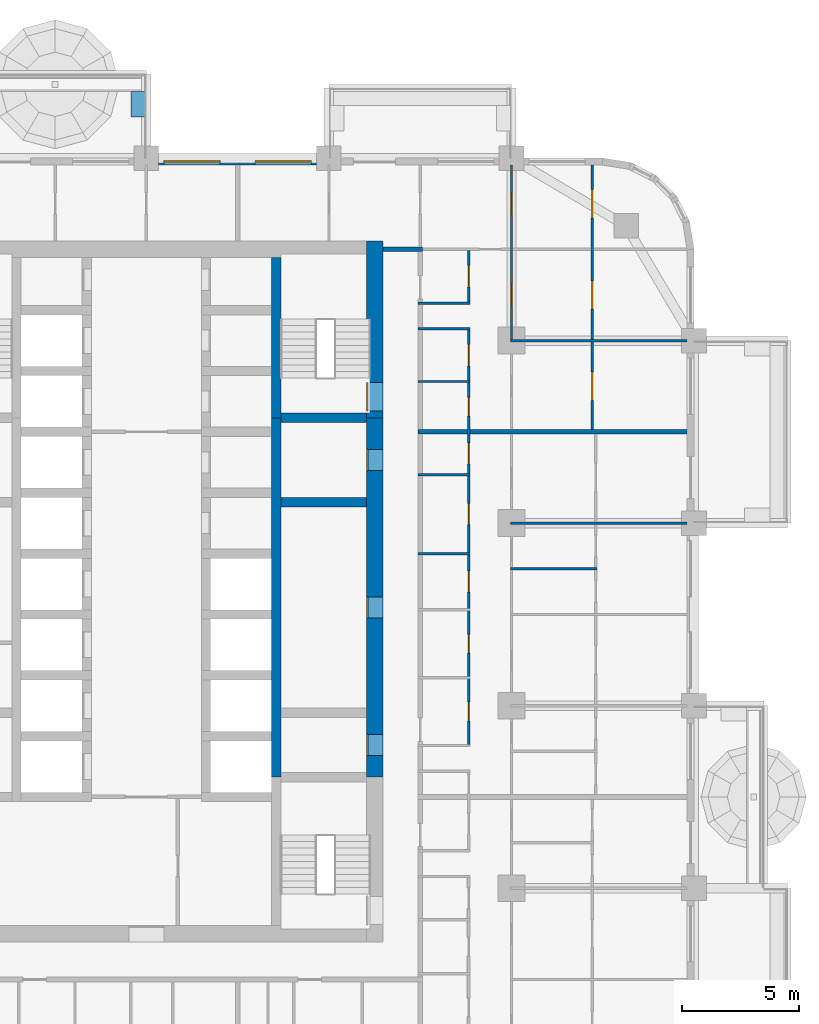
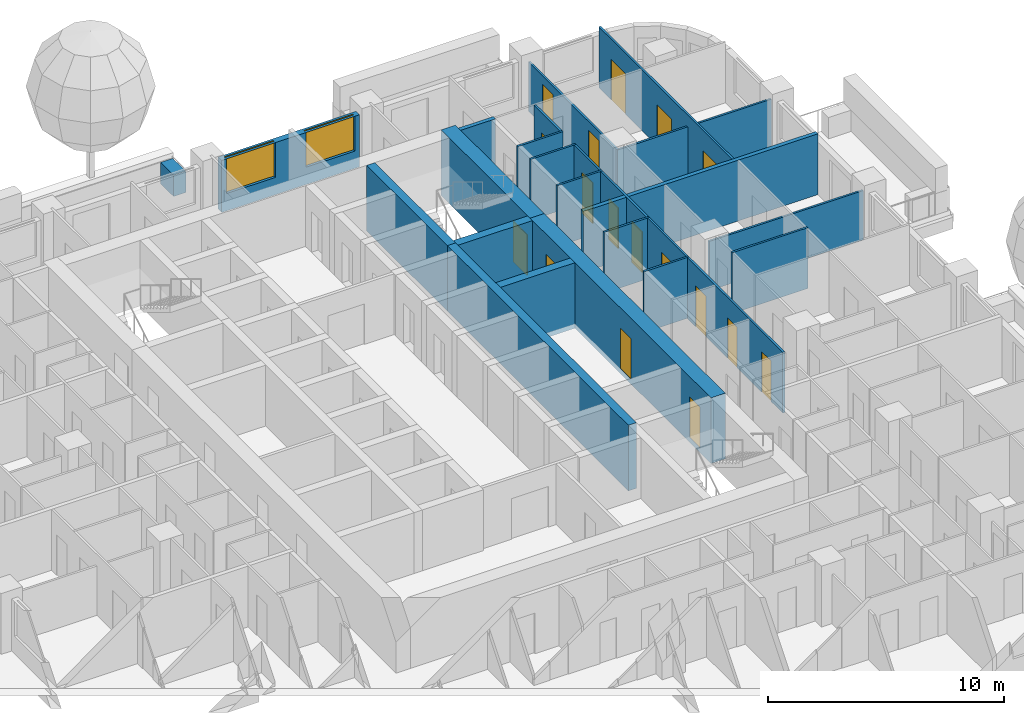
# One storey, part 12 of 18: 22 walls, 17 doors, 2 windows, 19 openings.
"""IFC4 building model written with IfcOpenShell, lengths in metres."""

import ifcopenshell
import ifcopenshell.guid

model = None  # the IFC model being written
_history = None  # IfcOwnerHistory: only IFC2X3 demands one
_inside = {}  # id of a spatial element -> (the spatial element, [elements in it])
_under = {}  # id of a project, library or spatial element -> (it, [spatial elements below it])
_declared = {}  # id of a project -> (the project, [libraries it declares])
_typed = {}  # id of a type object -> (the type object, [elements of that type])
_made_of = {}  # id of a material, layer set ... -> (it, [elements and type objects made of it])


def new_model(schema):
    """Start an empty IFC model of exactly this schema.

    Asked for "IFC4X3", IfcOpenShell would pick the latest addendum, in which some entities
    have other attributes; the version numbers below select the first issue.
    IFC2X3 requires an IfcOwnerHistory on every rooted entity: one is made here for all.
    """
    global model, _history
    if schema == "IFC4X3":
        model = ifcopenshell.file(schema_version=(4, 3, 0, 0))
    else:
        model = ifcopenshell.file(schema=schema)
    _inside.clear()
    _under.clear()
    _declared.clear()
    _typed.clear()
    _made_of.clear()
    _history = None
    if model.schema == "IFC2X3":
        org = make("IfcOrganization", Name="unknown")
        user = make(
            "IfcPersonAndOrganization",
            ThePerson=make("IfcPerson", FamilyName="unknown"),
            TheOrganization=org,
        )
        app = make(
            "IfcApplication",
            ApplicationDeveloper=org,
            Version="unknown",
            ApplicationFullName="unknown",
            ApplicationIdentifier="unknown",
        )
        _history = make(
            "IfcOwnerHistory",
            OwningUser=user,
            OwningApplication=app,
            ChangeAction="ADDED",
            CreationDate=0,
        )
    return model


def make(cls, **values):
    """One entity of the class cls with the attributes given. An attribute that is None is left unset."""
    return model.create_entity(
        cls, **{name: value for name, value in values.items() if value is not None}
    )


def rooted(cls, **values):
    """An entity with a GlobalId (a new one), such as an element, a storey or a relation."""
    return make(cls, GlobalId=ifcopenshell.guid.new(), OwnerHistory=_history, **values)


def si_unit(unit_type, name, prefix=None):
    """IfcSIUnit, for example si_unit("LENGTHUNIT", "METRE", prefix="MILLI")."""
    return make("IfcSIUnit", UnitType=unit_type, Prefix=prefix, Name=name)


def assignment(units):
    """IfcUnitAssignment: the units of a project."""
    return None if units is None else make("IfcUnitAssignment", Units=units)


def point(xyz):
    """IfcCartesianPoint."""
    return None if xyz is None else make("IfcCartesianPoint", Coordinates=xyz)


def direction(xyz):
    """IfcDirection."""
    return None if xyz is None else make("IfcDirection", DirectionRatios=xyz)


def frame(location, z_axis=None, x_axis=None):
    """IfcAxis2Placement3D, a coordinate frame: its origin and axes. An axis left out is left unset."""
    return make(
        "IfcAxis2Placement3D",
        Location=point(location),
        Axis=direction(z_axis),
        RefDirection=direction(x_axis),
    )


def frame_2d(location, x_axis=None):
    """IfcAxis2Placement2D, a coordinate frame in the plane: its origin and x axis."""
    return make(
        "IfcAxis2Placement2D", Location=point(location), RefDirection=direction(x_axis)
    )


def origin():
    """The frame at (0, 0, 0) with its axes left unset."""
    return frame((0.0, 0.0, 0.0))


def place(relative_to, where):
    """IfcLocalPlacement: puts the frame where relative to a parent placement (None: the world)."""
    return make(
        "IfcLocalPlacement", PlacementRelTo=relative_to, RelativePlacement=where
    )


def context(
    kind, dimensions, precision=None, world=None, true_north=None, identifier=None
):
    """IfcGeometricRepresentationContext, for example the 3D "Model" context."""
    return make(
        "IfcGeometricRepresentationContext",
        ContextIdentifier=identifier,
        ContextType=kind,
        CoordinateSpaceDimension=dimensions,
        Precision=precision,
        WorldCoordinateSystem=world,
        TrueNorth=true_north,
    )


def subcontext(parent, identifier, kind, view, scale=None):
    """IfcGeometricRepresentationSubContext, for example "Body" below "Model"."""
    return make(
        "IfcGeometricRepresentationSubContext",
        ContextIdentifier=identifier,
        ContextType=kind,
        ParentContext=parent,
        TargetScale=scale,
        TargetView=view,
    )


def project(units=None, contexts=None):
    """IfcProject with its units and contexts."""
    return rooted(
        "IfcProject",
        Name="project",
        RepresentationContexts=contexts,
        UnitsInContext=assignment(units),
    )


def spatial(cls, under=None, at=None, **own):
    """A site, building, storey or space (cls), placed at a placement, below another one or the project."""
    s = rooted(cls, ObjectPlacement=at, **own)
    if under is not None:
        _under.setdefault(under.id(), (under, []))[1].append(s)
    return s


def profile(cls, at=None, kind="AREA", **sizes):
    """A parametric profile (cls). Its sizes go by their IFC names, for example OverallWidth=200.0."""
    return make(cls, ProfileType=kind, Position=at, **sizes)


def rectangle(**sizes):
    """IfcRectangleProfileDef."""
    return profile("IfcRectangleProfileDef", **sizes)


def extrude(swept, where, along, depth):
    """IfcExtrudedAreaSolid: the profile swept, set in the frame where, extruded along a direction by depth."""
    return make(
        "IfcExtrudedAreaSolid",
        SweptArea=swept,
        Position=where,
        ExtrudedDirection=direction(along),
        Depth=depth,
    )


def shape(context_of_items, identifier, shape_type, items):
    """IfcShapeRepresentation: the items that make up one representation, for example the "Body"."""
    return make(
        "IfcShapeRepresentation",
        ContextOfItems=context_of_items,
        RepresentationIdentifier=identifier,
        RepresentationType=shape_type,
        Items=items,
    )


def material(Name=None, Category=None):
    """IfcMaterial."""
    return make("IfcMaterial", Name=Name, Category=Category)


def layer(
    of_material, thickness, ventilated=None, Name=None, Category=None, Priority=None
):
    """IfcMaterialLayer: one layer of a wall or slab, of a material (None: an air gap)."""
    return make(
        "IfcMaterialLayer",
        Material=of_material,
        LayerThickness=thickness,
        IsVentilated=ventilated,
        Name=Name,
        Category=Category,
        Priority=Priority,
    )


def layer_set(layers, Name=None):
    """IfcMaterialLayerSet."""
    return make("IfcMaterialLayerSet", MaterialLayers=layers, LayerSetName=Name)


def made_of(thing, what):
    """Note that an element or type object is made of a material, layer set ...; save() writes the relation."""
    if what is not None:
        _made_of.setdefault(what.id(), (what, []))[1].append(thing)
    return thing


def type_object(cls, material=None, **own):
    """A type object (cls), such as IfcWallType, which elements share."""
    return made_of(rooted(cls, **own), material)


def element(
    cls,
    number,
    at=None,
    inside=None,
    cuts=None,
    type_object=None,
    material=None,
    context=None,
    identifier="Body",
    shape_type=None,
    held_by="IfcProductDefinitionShape",
    body=None,
    shapes=None,
    **own,
):
    """One element of the class cls, such as IfcWall. Its Tag is "e" and its number.

    at: its placement. inside: the storey or other place that contains it. cuts: it is an
    opening in that element (IfcRelVoidsElement). A single representation is given by context,
    identifier, shape_type and body (its items); several are given by shapes. held_by: the class
    of the entity that holds the representations. save() writes the other relations.
    """
    e = rooted(cls, Tag="e%d" % number, ObjectPlacement=at, **own)
    if body is not None:
        shapes = [shape(context, identifier, shape_type, body)]
    if shapes is not None:
        e.Representation = make(held_by, Representations=shapes)
    if inside is not None:
        _inside.setdefault(inside.id(), (inside, []))[1].append(e)
    if cuts is not None:
        rooted(
            "IfcRelVoidsElement", RelatingBuildingElement=cuts, RelatedOpeningElement=e
        )
    if type_object is not None:
        _typed.setdefault(type_object.id(), (type_object, []))[1].append(e)
    return made_of(e, material)


def fill(opening, filler):
    """IfcRelFillsElement: the door or window that sits in an opening."""
    return rooted(
        "IfcRelFillsElement",
        RelatingOpeningElement=opening,
        RelatedBuildingElement=filler,
    )


def aggregate(whole, parts):
    """IfcRelAggregates: a whole, such as a stair, and the parts it consists of."""
    return rooted("IfcRelAggregates", RelatingObject=whole, RelatedObjects=parts)


def save(model, path):
    """Write the relations noted so far, then the file.

    IfcRelAggregates (storeys below a building ...), IfcRelContainedInSpatialStructure (elements
    in a storey), IfcRelDefinesByType, IfcRelAssociatesMaterial and IfcRelDeclares: one each for
    every whole, place, type object, material and project.
    """
    for whole, parts in _under.values():
        aggregate(whole, parts)
    for where, things in _inside.values():
        rooted(
            "IfcRelContainedInSpatialStructure",
            RelatedElements=things,
            RelatingStructure=where,
        )
    for kind, things in _typed.values():
        rooted("IfcRelDefinesByType", RelatedObjects=things, RelatingType=kind)
    for what, things in _made_of.values():
        rooted("IfcRelAssociatesMaterial", RelatedObjects=things, RelatingMaterial=what)
    for by, libraries in _declared.values():
        rooted("IfcRelDeclares", RelatingContext=by, RelatedDefinitions=libraries)
    model.write(path)


model = new_model("IFC4")

# Units and contexts
model_context = context("Model", 3, precision=1e-05, world=origin(), true_north=direction((0.0, 1.0)))
body_context = subcontext(model_context, "Body", "Model", "MODEL_VIEW")
ifc_project = project(units=[si_unit("LENGTHUNIT", "METRE"), si_unit("AREAUNIT", "SQUARE_METRE"), si_unit("VOLUMEUNIT", "CUBIC_METRE"), si_unit("PLANEANGLEUNIT", "RADIAN"), si_unit("MASSUNIT", "GRAM", prefix="KILO")], contexts=[model_context])

# Site, building, storey
site_placement = place(None, origin())
site = spatial("IfcSite", under=ifc_project, at=site_placement, CompositionType="ELEMENT")
building_placement = place(site_placement, origin())
building = spatial("IfcBuilding", under=site, at=building_placement, Name="Ludao Terraces", CompositionType="ELEMENT")
storey_placement = place(building_placement, frame((0.0, 0.0, 26.300048828125)))
storey = spatial("IfcBuildingStorey", under=building, at=storey_placement, Name="L06", CompositionType="ELEMENT", Elevation=26.300048828125)

# Wall, openings, doors
ifc_material_1 = material(Name="Concrete C70", Category="concrete")
ifc_layer_1 = layer(ifc_material_1, 0.699951171875)
ifc_layer_set_1 = layer_set([ifc_layer_1], Name="Core wall 700 C70")
wall_type_1 = type_object("IfcWallType", Name="Core wall 700 C70", PredefinedType="SOLIDWALL", material=ifc_layer_set_1)
wall_1_placement = place(storey_placement, frame((94.75, 61.949951171875, -0.25), z_axis=(0.0, 0.0, 1.0), x_axis=(0.0, 1.0, 0.0)))
wall_1 = element("IfcWall", 1, at=wall_1_placement, inside=storey, type_object=wall_type_1, Name="Core wall L06 outer-E", PredefinedType="SOLIDWALL", context=body_context, shape_type="SweptSolid", body=[
    extrude(rectangle(XDim=15.35009765625, YDim=0.699951171875, at=frame_2d((7.675048828125, 0.0))), origin(), (0.0, 0.0, 1.0), 3.39990234375),
])
opening_1_placement = place(wall_1_placement, frame((0.925048828125, 0.0, 0.25)))
opening_1 = element("IfcOpeningElement", 2, at=opening_1_placement, cuts=wall_1, Name="Opening R01-078", PredefinedType="OPENING", context=body_context, shape_type="SweptSolid", body=[
    extrude(rectangle(XDim=0.89990234375, YDim=2.10009765625, at=frame_2d((0.449951171875, 1.050048828125))), frame((0.0, 0.35986328125, 0.0), z_axis=(0.0, -1.0, 0.0), x_axis=(1.0, 0.0, 0.0)), (0.0, 0.0, 1.0), 0.719970703125),
])
opening_2_placement = place(wall_1_placement, frame((6.800048828125, 0.0, 0.25)))
opening_2 = element("IfcOpeningElement", 3, at=opening_2_placement, cuts=wall_1, Name="Opening R01-095", PredefinedType="OPENING", context=body_context, shape_type="SweptSolid", body=[
    extrude(rectangle(XDim=0.89990234375, YDim=2.10009765625, at=frame_2d((0.449951171875, 1.050048828125))), frame((0.0, 0.35986328125, 0.0), z_axis=(0.0, -1.0, 0.0), x_axis=(1.0, 0.0, 0.0)), (0.0, 0.0, 1.0), 0.719970703125),
])
opening_3_placement = place(wall_1_placement, frame((13.10009765625, 0.0, 0.25)))
opening_3 = element("IfcOpeningElement", 4, at=opening_3_placement, cuts=wall_1, Name="Opening R01-118", PredefinedType="OPENING", context=body_context, shape_type="SweptSolid", body=[
    extrude(rectangle(XDim=0.89990234375, YDim=2.10009765625, at=frame_2d((0.449951171875, 1.050048828125))), frame((0.0, 0.35986328125, 0.0), z_axis=(0.0, -1.0, 0.0), x_axis=(1.0, 0.0, 0.0)), (0.0, 0.0, 1.0), 0.719970703125),
])
ifc_material_2 = material(Name="Steel Q235", Category="steel")
door_type_1 = type_object("IfcDoorType", Name="INT Riser door 900", OperationType="SINGLE_SWING_LEFT", PredefinedType="DOOR", material=ifc_material_2)
door_1_placement = place(opening_1_placement, origin())
door_1 = element("IfcDoor", 5, at=door_1_placement, inside=storey, type_object=door_type_1, Name="DOOR 078", OperationType="SINGLE_SWING_LEFT", OverallHeight=2.10009765625, OverallWidth=0.89990234375, PredefinedType="DOOR", context=body_context, shape_type="SweptSolid", body=[
    extrude(rectangle(XDim=0.89990234375, YDim=2.10009765625, at=frame_2d((0.449951171875, 1.050048828125))), frame((0.0, 0.3349609375, 0.0), z_axis=(0.0, -1.0, 0.0), x_axis=(1.0, 0.0, 0.0)), (0.0, 0.0, 1.0), 0.050048828125),
])
fill(opening_1, door_1)
door_2_placement = place(opening_3_placement, origin())
door_2 = element("IfcDoor", 6, at=door_2_placement, inside=storey, type_object=door_type_1, Name="DOOR 118", OperationType="SINGLE_SWING_LEFT", OverallHeight=2.10009765625, OverallWidth=0.89990234375, PredefinedType="DOOR", context=body_context, shape_type="SweptSolid", body=[
    extrude(rectangle(XDim=0.89990234375, YDim=2.10009765625, at=frame_2d((0.449951171875, 1.050048828125))), frame((0.0, 0.3349609375, 0.0), z_axis=(0.0, -1.0, 0.0), x_axis=(1.0, 0.0, 0.0)), (0.0, 0.0, 1.0), 0.050048828125),
])
fill(opening_3, door_2)
ifc_material_3 = material(Name="Timber door leaf", Category="wood")
door_type_2 = type_object("IfcDoorType", Name="INT Room door 900", OperationType="SINGLE_SWING_LEFT", PredefinedType="DOOR", material=ifc_material_3)
door_3_placement = place(opening_2_placement, origin())
door_3 = element("IfcDoor", 7, at=door_3_placement, inside=storey, type_object=door_type_2, Name="DOOR 095", OperationType="SINGLE_SWING_LEFT", OverallHeight=2.10009765625, OverallWidth=0.89990234375, PredefinedType="DOOR", context=body_context, shape_type="SweptSolid", body=[
    extrude(rectangle(XDim=0.89990234375, YDim=2.10009765625, at=frame_2d((0.449951171875, 1.050048828125))), frame((0.0, 0.3349609375, 0.0), z_axis=(0.0, -1.0, 0.0), x_axis=(1.0, 0.0, 0.0)), (0.0, 0.0, 1.0), 0.050048828125),
])
fill(opening_2, door_3)

# Wall, opening, door
wall_2_placement = place(storey_placement, frame((94.75, 77.300048828125, -0.25), z_axis=(0.0, 0.0, 1.0), x_axis=(0.0, 1.0, 0.0)))
wall_2 = element("IfcWall", 8, at=wall_2_placement, inside=storey, type_object=wall_type_1, Name="Core wall L06 outer-E-S2", PredefinedType="SOLIDWALL", context=body_context, shape_type="SweptSolid", body=[
    extrude(rectangle(XDim=7.550048828125, YDim=0.699951171875, at=frame_2d((3.77490234375, 0.0))), origin(), (0.0, 0.0, 1.0), 3.39990234375),
])
opening_4_placement = place(wall_2_placement, frame((0.300048828125, 0.0, 0.25)))
opening_4 = element("IfcOpeningElement", 9, at=opening_4_placement, cuts=wall_2, Name="Opening R01-128", PredefinedType="OPENING", context=body_context, shape_type="SweptSolid", body=[
    extrude(rectangle(XDim=1.199951171875, YDim=2.10009765625, at=frame_2d((0.60009765625, 1.050048828125))), frame((0.0, 0.35986328125, 0.0), z_axis=(0.0, -1.0, 0.0), x_axis=(1.0, 0.0, 0.0)), (0.0, 0.0, 1.0), 0.719970703125),
])
door_type_3 = type_object("IfcDoorType", Name="INT Stair door 1200", OperationType="DOUBLE_DOOR_SINGLE_SWING", PredefinedType="DOOR", material=ifc_material_2)
door_4_placement = place(opening_4_placement, origin())
door_4 = element("IfcDoor", 10, at=door_4_placement, inside=storey, type_object=door_type_3, Name="DOOR 128", OperationType="DOUBLE_DOOR_SINGLE_SWING", OverallHeight=2.10009765625, OverallWidth=1.199951171875, PredefinedType="DOOR", context=body_context, shape_type="SweptSolid", body=[
    extrude(rectangle(XDim=1.199951171875, YDim=2.10009765625, at=frame_2d((0.60009765625, 1.050048828125))), frame((0.0, 0.3349609375, 0.0), z_axis=(0.0, -1.0, 0.0), x_axis=(1.0, 0.0, 0.0)), (0.0, 0.0, 1.0), 0.050048828125),
])
fill(opening_4, door_4)

# Wall
ifc_material_4 = material(Name="Concrete C40", Category="concrete")
ifc_layer_2 = layer(ifc_material_4, 0.60009765625)
ifc_layer_set_2 = layer_set([ifc_layer_2], Name="ENV Planter trough 600")
wall_type_2 = type_object("IfcWallType", Name="ENV Planter trough 600", PredefinedType="USERDEFINED", material=ifc_layer_set_2)
wall_3_placement = place(storey_placement, frame((84.64990234375, 91.25, 0.0), z_axis=(0.0, 0.0, 1.0), x_axis=(0.0, -1.0, 0.0)))
element("IfcWall", 11, at=wall_3_placement, inside=storey, type_object=wall_type_2, Name="PL-L06-N2-SB", ObjectType="PLANTER", PredefinedType="USERDEFINED", context=body_context, shape_type="SweptSolid", body=[
    extrude(rectangle(XDim=1.10009765625, YDim=0.60009765625, at=frame_2d((0.550048828125, 0.0))), origin(), (0.0, 0.0, 1.0), 1.099853515625),
])

# Wall, openings, windows
ifc_material_5 = material(Name="Granite cladding", Category="masonry")
ifc_layer_3 = layer(ifc_material_5, 0.0400390625, Category="stone")
ifc_material_6 = material(Name="Mineral wool")
ifc_layer_4 = layer(ifc_material_6, 0.06005859375)
ifc_layer_5 = layer(ifc_material_4, 0.199951171875, Category="concrete")
ifc_layer_set_3 = layer_set([ifc_layer_3, ifc_layer_4, ifc_layer_5], Name="ENV Stone-clad wall 300")
wall_type_3 = type_object("IfcWallType", Name="ENV Stone-clad wall 300", PredefinedType="SOLIDWALL", material=ifc_layer_set_3)
wall_4_placement = place(storey_placement, frame((85.52490234375, 88.25, 0.0), z_axis=(0.0, 0.0, 1.0), x_axis=(1.0, 0.0, 0.0)))
wall_4 = element("IfcWall", 12, at=wall_4_placement, inside=storey, type_object=wall_type_3, Name="EW-L06-N4", PredefinedType="SOLIDWALL", context=body_context, shape_type="SweptSolid", body=[
    extrude(rectangle(XDim=6.75, YDim=0.300048828125, at=frame_2d((3.375, 0.0))), origin(), (0.0, 0.0, 1.0), 2.699951171875),
])
opening_5_placement = place(wall_4_placement, frame((0.22509765625, 0.0, 0.89990234375)))
opening_5 = element("IfcOpeningElement", 13, at=opening_5_placement, cuts=wall_4, Name="Opening W1", PredefinedType="OPENING", context=body_context, shape_type="SweptSolid", body=[
    extrude(rectangle(XDim=2.39990234375, YDim=1.800048828125, at=frame_2d((1.199951171875, 0.89990234375))), frame((0.0, 0.16015625, 0.0), z_axis=(0.0, -1.0, 0.0), x_axis=(1.0, 0.0, 0.0)), (0.0, 0.0, 1.0), 0.320068359375),
])
opening_6_placement = place(wall_4_placement, frame((4.125, 0.0, 0.89990234375)))
opening_6 = element("IfcOpeningElement", 14, at=opening_6_placement, cuts=wall_4, Name="Opening W1", PredefinedType="OPENING", context=body_context, shape_type="SweptSolid", body=[
    extrude(rectangle(XDim=2.39990234375, YDim=1.800048828125, at=frame_2d((1.199951171875, 0.89990234375))), frame((0.0, 0.16015625, 0.0), z_axis=(0.0, -1.0, 0.0), x_axis=(1.0, 0.0, 0.0)), (0.0, 0.0, 1.0), 0.320068359375),
])
ifc_material_7 = material(Name="Clear glass in aluminium frame", Category="aluminium")
ifc_layer_6 = layer(ifc_material_7, 0.06005859375)
ifc_layer_set_4 = layer_set([ifc_layer_6], Name="ENV Window W1 2400x1800")
window_type = type_object("IfcWindowType", Name="ENV Window W1 2400x1800", PartitioningType="DOUBLE_PANEL_VERTICAL", PredefinedType="WINDOW", material=ifc_layer_set_4)
window_1_placement = place(opening_5_placement, origin())
window_1 = element("IfcWindow", 15, at=window_1_placement, inside=storey, type_object=window_type, Name="W-L06-N4-1", OverallHeight=1.800048828125, OverallWidth=2.39990234375, PartitioningType="DOUBLE_PANEL_VERTICAL", PredefinedType="WINDOW", context=body_context, shape_type="SweptSolid", body=[
    extrude(rectangle(XDim=2.39990234375, YDim=1.800048828125, at=frame_2d((1.199951171875, 0.89990234375))), frame((0.0, 0.030029296875, 0.0), z_axis=(0.0, -1.0, 0.0), x_axis=(1.0, 0.0, 0.0)), (0.0, 0.0, 1.0), 0.06005859375),
])
fill(opening_5, window_1)
window_2_placement = place(opening_6_placement, origin())
window_2 = element("IfcWindow", 16, at=window_2_placement, inside=storey, type_object=window_type, Name="W-L06-N4-2", OverallHeight=1.800048828125, OverallWidth=2.39990234375, PartitioningType="DOUBLE_PANEL_VERTICAL", PredefinedType="WINDOW", context=body_context, shape_type="SweptSolid", body=[
    extrude(rectangle(XDim=2.39990234375, YDim=1.800048828125, at=frame_2d((1.199951171875, 0.89990234375))), frame((0.0, 0.030029296875, 0.0), z_axis=(0.0, -1.0, 0.0), x_axis=(1.0, 0.0, 0.0)), (0.0, 0.0, 1.0), 0.06005859375),
])
fill(opening_6, window_2)

# Walls
ifc_material_8 = material(Name="Autoclaved aerated concrete block B06 A3.5", Category="concrete")
ifc_layer_7 = layer(ifc_material_8, 0.199951171875)
ifc_layer_set_5 = layer_set([ifc_layer_7], Name="INT Entrance wall 200")
wall_type_4 = type_object("IfcWallType", Name="INT Entrance wall 200", PredefinedType="PARTITIONING", material=ifc_layer_set_5)
wall_5_placement = place(storey_placement, frame((95.10009765625, 84.5, 0.0), z_axis=(0.0, 0.0, 1.0), x_axis=(1.0, 0.0, 0.0)))
element("IfcWall", 17, at=wall_5_placement, inside=storey, type_object=wall_type_4, Name="PW-L06-PW071", PredefinedType="PARTITIONING", context=body_context, shape_type="SweptSolid", body=[
    extrude(rectangle(XDim=1.699951171875, YDim=0.199951171875, at=frame_2d((0.85009765625, 0.0))), origin(), (0.0, 0.0, 1.0), 3.14990234375),
])
ifc_material_9 = material(Name="Gypsum plasterboard", Category="gypsum")
ifc_layer_8 = layer(ifc_material_9, 0.012451171875, Category="gypsum")
ifc_layer_9 = layer(ifc_material_6, 0.06005859375, Name="insulation")
ifc_layer_10 = layer(ifc_material_2, 0.014892578125, Name="stud")
ifc_layer_11 = layer(ifc_material_9, 0.012451171875, Category="gypsum")
ifc_layer_set_6 = layer_set([ifc_layer_8, ifc_layer_9, ifc_layer_10, ifc_layer_11], Name="INT Partition 100")
wall_type_5 = type_object("IfcWallType", Name="INT Partition 100", PredefinedType="PARTITIONING", material=ifc_layer_set_6)
wall_6_placement = place(storey_placement, frame((100.550048828125, 70.85009765625, 0.0), z_axis=(0.0, 0.0, 1.0), x_axis=(1.0, 0.0, 0.0)))
element("IfcWall", 18, at=wall_6_placement, inside=storey, type_object=wall_type_5, Name="PW-L06-PW050", PredefinedType="PARTITIONING", context=body_context, shape_type="SweptSolid", body=[
    extrude(rectangle(XDim=3.699951171875, YDim=0.10009765625, at=frame_2d((1.85009765625, 0.0))), origin(), (0.0, 0.0, 1.0), 3.14990234375),
])
wall_7_placement = place(storey_placement, frame((96.60009765625, 71.5, 0.0), z_axis=(0.0, 0.0, 1.0), x_axis=(1.0, 0.0, 0.0)))
element("IfcWall", 19, at=wall_7_placement, inside=storey, type_object=wall_type_5, Name="PW-L06-PW052", PredefinedType="PARTITIONING", context=body_context, shape_type="SweptSolid", body=[
    extrude(rectangle(XDim=2.219970703125, YDim=0.10009765625, at=frame_2d((1.10986328125, 0.0))), origin(), (0.0, 0.0, 1.0), 3.14990234375),
])
wall_8_placement = place(storey_placement, frame((100.550048828125, 72.800048828125, 0.0), z_axis=(0.0, 0.0, 1.0), x_axis=(1.0, 0.0, 0.0)))
element("IfcWall", 20, at=wall_8_placement, inside=storey, type_object=wall_type_5, Name="PW-L06-PW054", PredefinedType="PARTITIONING", context=body_context, shape_type="SweptSolid", body=[
    extrude(rectangle(XDim=7.550048828125, YDim=0.10009765625, at=frame_2d((3.77490234375, 0.0))), origin(), (0.0, 0.0, 1.0), 2.5498046875),
])
for number, where, z_axis, x_axis, name in (
    (21, (96.60009765625, 74.8701171875, 0.0), (0.0, 0.0, 1.0), (1.0, 0.0, 0.0), "PW-L06-PW056"),
    (22, (96.60009765625, 78.85009765625, 0.0), (0.0, 0.0, 1.0), (1.0, 0.0, 0.0), "PW-L06-PW062"),
):
    element("IfcWall", number, at=place(storey_placement, frame(where, z_axis=z_axis, x_axis=x_axis)), inside=storey, type_object=wall_type_5, Name=name, PredefinedType="PARTITIONING", context=body_context, shape_type="SweptSolid", body=[
        extrude(rectangle(XDim=2.219970703125, YDim=0.10009765625, at=frame_2d((1.10986328125, 0.0))), origin(), (0.0, 0.0, 1.0), 3.14990234375),
    ])
wall_9_placement = place(storey_placement, frame((100.550048828125, 80.60009765625, 0.0), z_axis=(0.0, 0.0, 1.0), x_axis=(1.0, 0.0, 0.0)))
element("IfcWall", 23, at=wall_9_placement, inside=storey, type_object=wall_type_5, Name="PW-L06-PW065", PredefinedType="PARTITIONING", context=body_context, shape_type="SweptSolid", body=[
    extrude(rectangle(XDim=7.550048828125, YDim=0.10009765625, at=frame_2d((3.77490234375, 0.0))), origin(), (0.0, 0.0, 1.0), 2.5498046875),
])
for number, where, z_axis, x_axis, name in (
    (24, (96.60009765625, 81.10009765625, 0.0), (0.0, 0.0, 1.0), (1.0, 0.0, 0.0), "PW-L06-PW066"),
    (25, (96.60009765625, 82.199951171875, 0.0), (0.0, 0.0, 1.0), (1.0, 0.0, 0.0), "PW-L06-PW068"),
):
    element("IfcWall", number, at=place(storey_placement, frame(where, z_axis=z_axis, x_axis=x_axis)), inside=storey, type_object=wall_type_5, Name=name, PredefinedType="PARTITIONING", context=body_context, shape_type="SweptSolid", body=[
        extrude(rectangle(XDim=2.219970703125, YDim=0.10009765625, at=frame_2d((1.10986328125, 0.0))), origin(), (0.0, 0.0, 1.0), 3.14990234375),
    ])

# Wall, openings, doors
wall_10_placement = place(storey_placement, frame((98.77001953125, 63.35009765625, 0.0), z_axis=(0.0, 0.0, 1.0), x_axis=(0.0, 1.0, 0.0)))
wall_10 = element("IfcWall", 26, at=wall_10_placement, inside=storey, type_object=wall_type_5, Name="PW-L06-PW114", PredefinedType="PARTITIONING", context=body_context, shape_type="SweptSolid", body=[
    extrude(rectangle(XDim=17.699951171875, YDim=0.10009765625, at=frame_2d((8.85009765625, 0.0))), origin(), (0.0, 0.0, 1.0), 3.14990234375),
])
opening_7_placement = place(wall_10_placement, frame((1.0, 0.0, 0.0)))
opening_7 = element("IfcOpeningElement", 27, at=opening_7_placement, cuts=wall_10, Name="Opening R01-083", PredefinedType="OPENING", context=body_context, shape_type="SweptSolid", body=[
    extrude(rectangle(XDim=0.800048828125, YDim=2.10009765625, at=frame_2d((0.39990234375, 1.050048828125))), frame((0.0, 0.06005859375, 0.0), z_axis=(0.0, -1.0, 0.0), x_axis=(1.0, 0.0, 0.0)), (0.0, 0.0, 1.0), 0.1201171875),
])
opening_8_placement = place(wall_10_placement, frame((3.89990234375, 0.0, 0.0)))
opening_8 = element("IfcOpeningElement", 28, at=opening_8_placement, cuts=wall_10, Name="Opening R01-092", PredefinedType="OPENING", context=body_context, shape_type="SweptSolid", body=[
    extrude(rectangle(XDim=0.800048828125, YDim=2.10009765625, at=frame_2d((0.39990234375, 1.050048828125))), frame((0.0, 0.06005859375, 0.0), z_axis=(0.0, -1.0, 0.0), x_axis=(1.0, 0.0, 0.0)), (0.0, 0.0, 1.0), 0.1201171875),
])
opening_9_placement = place(wall_10_placement, frame((6.5, 0.0, 0.0)))
opening_9 = element("IfcOpeningElement", 29, at=opening_9_placement, cuts=wall_10, Name="Opening R01-100", PredefinedType="OPENING", context=body_context, shape_type="SweptSolid", body=[
    extrude(rectangle(XDim=0.89990234375, YDim=2.10009765625, at=frame_2d((0.449951171875, 1.050048828125))), frame((0.0, 0.06005859375, 0.0), z_axis=(0.0, -1.0, 0.0), x_axis=(1.0, 0.0, 0.0)), (0.0, 0.0, 1.0), 0.1201171875),
])
opening_10_placement = place(wall_10_placement, frame((9.385009765625, 0.0, 0.0)))
opening_10 = element("IfcOpeningElement", 30, at=opening_10_placement, cuts=wall_10, Name="Opening R01-110", PredefinedType="OPENING", context=body_context, shape_type="SweptSolid", body=[
    extrude(rectangle(XDim=0.89990234375, YDim=2.10009765625, at=frame_2d((0.449951171875, 1.050048828125))), frame((0.0, 0.06005859375, 0.0), z_axis=(0.0, -1.0, 0.0), x_axis=(1.0, 0.0, 0.0)), (0.0, 0.0, 1.0), 0.1201171875),
])
opening_11_placement = place(wall_10_placement, frame((11.985107421875, 0.0, 0.0)))
opening_11 = element("IfcOpeningElement", 31, at=opening_11_placement, cuts=wall_10, Name="Opening R01-120", PredefinedType="OPENING", context=body_context, shape_type="SweptSolid", body=[
    extrude(rectangle(XDim=0.89990234375, YDim=2.10009765625, at=frame_2d((0.449951171875, 1.050048828125))), frame((0.0, 0.06005859375, 0.0), z_axis=(0.0, -1.0, 0.0), x_axis=(1.0, 0.0, 0.0)), (0.0, 0.0, 1.0), 0.1201171875),
])
opening_12_placement = place(wall_10_placement, frame((14.02490234375, 0.0, 0.0)))
opening_12 = element("IfcOpeningElement", 32, at=opening_12_placement, cuts=wall_10, Name="Opening R01-124", PredefinedType="OPENING", context=body_context, shape_type="SweptSolid", body=[
    extrude(rectangle(XDim=0.800048828125, YDim=2.10009765625, at=frame_2d((0.39990234375, 1.050048828125))), frame((0.0, 0.06005859375, 0.0), z_axis=(0.0, -1.0, 0.0), x_axis=(1.0, 0.0, 0.0)), (0.0, 0.0, 1.0), 0.1201171875),
])
opening_13_placement = place(wall_10_placement, frame((16.175048828125, 0.0, 0.0)))
opening_13 = element("IfcOpeningElement", 33, at=opening_13_placement, cuts=wall_10, Name="Opening R01-134", PredefinedType="OPENING", context=body_context, shape_type="SweptSolid", body=[
    extrude(rectangle(XDim=0.89990234375, YDim=2.10009765625, at=frame_2d((0.449951171875, 1.050048828125))), frame((0.0, 0.06005859375, 0.0), z_axis=(0.0, -1.0, 0.0), x_axis=(1.0, 0.0, 0.0)), (0.0, 0.0, 1.0), 0.1201171875),
])
door_type_4 = type_object("IfcDoorType", Name="INT Bathroom door 900", OperationType="SINGLE_SWING_LEFT", PredefinedType="DOOR", material=ifc_material_3)
door_5_placement = place(opening_9_placement, origin())
door_5 = element("IfcDoor", 34, at=door_5_placement, inside=storey, type_object=door_type_4, Name="DOOR 100", OperationType="SINGLE_SWING_LEFT", OverallHeight=2.10009765625, OverallWidth=0.89990234375, PredefinedType="DOOR", context=body_context, shape_type="SweptSolid", body=[
    extrude(rectangle(XDim=0.89990234375, YDim=2.10009765625, at=frame_2d((0.449951171875, 1.050048828125))), frame((0.0, 0.02490234375, 0.0), z_axis=(0.0, -1.0, 0.0), x_axis=(1.0, 0.0, 0.0)), (0.0, 0.0, 1.0), 0.050048828125),
])
fill(opening_9, door_5)
door_6_placement = place(opening_11_placement, origin())
door_6 = element("IfcDoor", 35, at=door_6_placement, inside=storey, type_object=door_type_4, Name="DOOR 120", OperationType="SINGLE_SWING_RIGHT", OverallHeight=2.10009765625, OverallWidth=0.89990234375, PredefinedType="DOOR", context=body_context, shape_type="SweptSolid", body=[
    extrude(rectangle(XDim=0.89990234375, YDim=2.10009765625, at=frame_2d((0.449951171875, 1.050048828125))), frame((0.0, 0.02490234375, 0.0), z_axis=(0.0, -1.0, 0.0), x_axis=(1.0, 0.0, 0.0)), (0.0, 0.0, 1.0), 0.050048828125),
])
fill(opening_11, door_6)
door_7_placement = place(opening_13_placement, origin())
door_7 = element("IfcDoor", 36, at=door_7_placement, inside=storey, type_object=door_type_4, Name="DOOR 134", OperationType="SINGLE_SWING_RIGHT", OverallHeight=2.10009765625, OverallWidth=0.89990234375, PredefinedType="DOOR", context=body_context, shape_type="SweptSolid", body=[
    extrude(rectangle(XDim=0.89990234375, YDim=2.10009765625, at=frame_2d((0.449951171875, 1.050048828125))), frame((0.0, 0.02490234375, 0.0), z_axis=(0.0, -1.0, 0.0), x_axis=(1.0, 0.0, 0.0)), (0.0, 0.0, 1.0), 0.050048828125),
])
fill(opening_13, door_7)
door_8_placement = place(opening_10_placement, origin())
door_8 = element("IfcDoor", 37, at=door_8_placement, inside=storey, type_object=door_type_2, Name="DOOR 110", OperationType="SINGLE_SWING_RIGHT", OverallHeight=2.10009765625, OverallWidth=0.89990234375, PredefinedType="DOOR", context=body_context, shape_type="SweptSolid", body=[
    extrude(rectangle(XDim=0.89990234375, YDim=2.10009765625, at=frame_2d((0.449951171875, 1.050048828125))), frame((0.0, 0.02490234375, 0.0), z_axis=(0.0, -1.0, 0.0), x_axis=(1.0, 0.0, 0.0)), (0.0, 0.0, 1.0), 0.050048828125),
])
fill(opening_10, door_8)
door_type_5 = type_object("IfcDoorType", Name="INT Store door 800", OperationType="SINGLE_SWING_LEFT", PredefinedType="DOOR", material=ifc_material_3)
door_9_placement = place(opening_7_placement, origin())
door_9 = element("IfcDoor", 38, at=door_9_placement, inside=storey, type_object=door_type_5, Name="DOOR 083", OperationType="SINGLE_SWING_LEFT", OverallHeight=2.10009765625, OverallWidth=0.800048828125, PredefinedType="DOOR", context=body_context, shape_type="SweptSolid", body=[
    extrude(rectangle(XDim=0.800048828125, YDim=2.10009765625, at=frame_2d((0.39990234375, 1.050048828125))), frame((0.0, 0.02490234375, 0.0), z_axis=(0.0, -1.0, 0.0), x_axis=(1.0, 0.0, 0.0)), (0.0, 0.0, 1.0), 0.050048828125),
])
fill(opening_7, door_9)
door_10_placement = place(opening_8_placement, origin())
door_10 = element("IfcDoor", 39, at=door_10_placement, inside=storey, type_object=door_type_5, Name="DOOR 092", OperationType="SINGLE_SWING_LEFT", OverallHeight=2.10009765625, OverallWidth=0.800048828125, PredefinedType="DOOR", context=body_context, shape_type="SweptSolid", body=[
    extrude(rectangle(XDim=0.800048828125, YDim=2.10009765625, at=frame_2d((0.39990234375, 1.050048828125))), frame((0.0, 0.02490234375, 0.0), z_axis=(0.0, -1.0, 0.0), x_axis=(1.0, 0.0, 0.0)), (0.0, 0.0, 1.0), 0.050048828125),
])
fill(opening_8, door_10)
door_11_placement = place(opening_12_placement, origin())
door_11 = element("IfcDoor", 40, at=door_11_placement, inside=storey, type_object=door_type_5, Name="DOOR 124", OperationType="SINGLE_SWING_LEFT", OverallHeight=2.10009765625, OverallWidth=0.800048828125, PredefinedType="DOOR", context=body_context, shape_type="SweptSolid", body=[
    extrude(rectangle(XDim=0.800048828125, YDim=2.10009765625, at=frame_2d((0.39990234375, 1.050048828125))), frame((0.0, 0.02490234375, 0.0), z_axis=(0.0, -1.0, 0.0), x_axis=(1.0, 0.0, 0.0)), (0.0, 0.0, 1.0), 0.050048828125),
])
fill(opening_12, door_11)

# Wall, opening, door
wall_11_placement = place(storey_placement, frame((98.77001953125, 82.25, 0.0), z_axis=(0.0, 0.0, 1.0), x_axis=(0.0, 1.0, 0.0)))
wall_11 = element("IfcWall", 41, at=wall_11_placement, inside=storey, type_object=wall_type_5, Name="PW-L06-PW115", PredefinedType="PARTITIONING", context=body_context, shape_type="SweptSolid", body=[
    extrude(rectangle(XDim=2.2001953125, YDim=0.10009765625, at=frame_2d((1.10009765625, 0.0))), origin(), (0.0, 0.0, 1.0), 3.14990234375),
])
opening_14_placement = place(wall_11_placement, frame((0.650146484375, 0.0, 0.0)))
opening_14 = element("IfcOpeningElement", 42, at=opening_14_placement, cuts=wall_11, Name="Opening R01-146", PredefinedType="OPENING", context=body_context, shape_type="SweptSolid", body=[
    extrude(rectangle(XDim=0.89990234375, YDim=2.10009765625, at=frame_2d((0.449951171875, 1.050048828125))), frame((0.0, 0.06005859375, 0.0), z_axis=(0.0, -1.0, 0.0), x_axis=(1.0, 0.0, 0.0)), (0.0, 0.0, 1.0), 0.1201171875),
])
door_12_placement = place(opening_14_placement, origin())
door_12 = element("IfcDoor", 43, at=door_12_placement, inside=storey, type_object=door_type_2, Name="DOOR 146", OperationType="SINGLE_SWING_RIGHT", OverallHeight=2.10009765625, OverallWidth=0.89990234375, PredefinedType="DOOR", context=body_context, shape_type="SweptSolid", body=[
    extrude(rectangle(XDim=0.89990234375, YDim=2.10009765625, at=frame_2d((0.449951171875, 1.050048828125))), frame((0.0, 0.02490234375, 0.0), z_axis=(0.0, -1.0, 0.0), x_axis=(1.0, 0.0, 0.0)), (0.0, 0.0, 1.0), 0.050048828125),
])
fill(opening_14, door_12)

# Wall, openings, doors
wall_12_placement = place(storey_placement, frame((100.60009765625, 80.60009765625, 0.0), z_axis=(0.0, 0.0, 1.0), x_axis=(0.0, 1.0, 0.0)))
wall_12 = element("IfcWall", 44, at=wall_12_placement, inside=storey, type_object=wall_type_5, Name="PW-L06-PW116-3", PredefinedType="PARTITIONING", context=body_context, shape_type="SweptSolid", body=[
    extrude(rectangle(XDim=7.5, YDim=0.10009765625, at=frame_2d((3.75, 0.0))), origin(), (0.0, 0.0, 1.0), 2.5498046875),
])
opening_15_placement = place(wall_12_placement, frame((1.5, 0.0, 0.0)))
opening_15 = element("IfcOpeningElement", 45, at=opening_15_placement, cuts=wall_12, Name="Opening R01-140", PredefinedType="OPENING", context=body_context, shape_type="SweptSolid", body=[
    extrude(rectangle(XDim=0.89990234375, YDim=2.10009765625, at=frame_2d((0.449951171875, 1.050048828125))), frame((0.0, 0.06005859375, 0.0), z_axis=(0.0, -1.0, 0.0), x_axis=(1.0, 0.0, 0.0)), (0.0, 0.0, 1.0), 0.1201171875),
])
opening_16_placement = place(wall_12_placement, frame((5.39990234375, 0.0, 0.0)))
opening_16 = element("IfcOpeningElement", 46, at=opening_16_placement, cuts=wall_12, Name="Opening R01-157", PredefinedType="OPENING", context=body_context, shape_type="SweptSolid", body=[
    extrude(rectangle(XDim=0.89990234375, YDim=2.10009765625, at=frame_2d((0.449951171875, 1.050048828125))), frame((0.0, 0.06005859375, 0.0), z_axis=(0.0, -1.0, 0.0), x_axis=(1.0, 0.0, 0.0)), (0.0, 0.0, 1.0), 0.1201171875),
])
door_13_placement = place(opening_15_placement, origin())
door_13 = element("IfcDoor", 47, at=door_13_placement, inside=storey, type_object=door_type_2, Name="DOOR 140", OperationType="SINGLE_SWING_RIGHT", OverallHeight=2.10009765625, OverallWidth=0.89990234375, PredefinedType="DOOR", context=body_context, shape_type="SweptSolid", body=[
    extrude(rectangle(XDim=0.89990234375, YDim=2.10009765625, at=frame_2d((0.449951171875, 1.050048828125))), frame((0.0, 0.02490234375, 0.0), z_axis=(0.0, -1.0, 0.0), x_axis=(1.0, 0.0, 0.0)), (0.0, 0.0, 1.0), 0.050048828125),
])
fill(opening_15, door_13)
door_14_placement = place(opening_16_placement, origin())
door_14 = element("IfcDoor", 48, at=door_14_placement, inside=storey, type_object=door_type_2, Name="DOOR 157", OperationType="SINGLE_SWING_LEFT", OverallHeight=2.10009765625, OverallWidth=0.89990234375, PredefinedType="DOOR", context=body_context, shape_type="SweptSolid", body=[
    extrude(rectangle(XDim=0.89990234375, YDim=2.10009765625, at=frame_2d((0.449951171875, 1.050048828125))), frame((0.0, 0.02490234375, 0.0), z_axis=(0.0, -1.0, 0.0), x_axis=(1.0, 0.0, 0.0)), (0.0, 0.0, 1.0), 0.050048828125),
])
fill(opening_16, door_14)

wall_13_placement = place(storey_placement, frame((104.050048828125, 76.800048828125, 0.0), z_axis=(0.0, 0.0, 1.0), x_axis=(0.0, 1.0, 0.0)))
wall_13 = element("IfcWall", 49, at=wall_13_placement, inside=storey, type_object=wall_type_5, Name="PW-L06-PW118", PredefinedType="PARTITIONING", context=body_context, shape_type="SweptSolid", body=[
    extrude(rectangle(XDim=11.300048828125, YDim=0.10009765625, at=frame_2d((5.64990234375, 0.0))), origin(), (0.0, 0.0, 1.0), 3.14990234375),
])
opening_17_placement = place(wall_13_placement, frame((1.25, 0.0, 0.0)))
opening_17 = element("IfcOpeningElement", 50, at=opening_17_placement, cuts=wall_13, Name="Opening R01-130", PredefinedType="OPENING", context=body_context, shape_type="SweptSolid", body=[
    extrude(rectangle(XDim=1.199951171875, YDim=2.10009765625, at=frame_2d((0.60009765625, 1.050048828125))), frame((0.0, 0.06005859375, 0.0), z_axis=(0.0, -1.0, 0.0), x_axis=(1.0, 0.0, 0.0)), (0.0, 0.0, 1.0), 0.1201171875),
])
opening_18_placement = place(wall_13_placement, frame((5.14990234375, 0.0, 0.0)))
opening_18 = element("IfcOpeningElement", 51, at=opening_18_placement, cuts=wall_13, Name="Opening R01-141", PredefinedType="OPENING", context=body_context, shape_type="SweptSolid", body=[
    extrude(rectangle(XDim=1.199951171875, YDim=2.10009765625, at=frame_2d((0.60009765625, 1.050048828125))), frame((0.0, 0.06005859375, 0.0), z_axis=(0.0, -1.0, 0.0), x_axis=(1.0, 0.0, 0.0)), (0.0, 0.0, 1.0), 0.1201171875),
])
opening_19_placement = place(wall_13_placement, frame((9.050048828125, 0.0, 0.0)))
opening_19 = element("IfcOpeningElement", 52, at=opening_19_placement, cuts=wall_13, Name="Opening R01-158", PredefinedType="OPENING", context=body_context, shape_type="SweptSolid", body=[
    extrude(rectangle(XDim=1.199951171875, YDim=2.10009765625, at=frame_2d((0.60009765625, 1.050048828125))), frame((0.0, 0.06005859375, 0.0), z_axis=(0.0, -1.0, 0.0), x_axis=(1.0, 0.0, 0.0)), (0.0, 0.0, 1.0), 0.1201171875),
])
door_type_6 = type_object("IfcDoorType", Name="INT Double door 1200", OperationType="DOUBLE_DOOR_SINGLE_SWING", PredefinedType="DOOR", material=ifc_material_3)
door_15_placement = place(opening_17_placement, origin())
door_15 = element("IfcDoor", 53, at=door_15_placement, inside=storey, type_object=door_type_6, Name="DOOR 130", OperationType="DOUBLE_DOOR_SINGLE_SWING", OverallHeight=2.10009765625, OverallWidth=1.199951171875, PredefinedType="DOOR", context=body_context, shape_type="SweptSolid", body=[
    extrude(rectangle(XDim=1.199951171875, YDim=2.10009765625, at=frame_2d((0.60009765625, 1.050048828125))), frame((0.0, 0.02490234375, 0.0), z_axis=(0.0, -1.0, 0.0), x_axis=(1.0, 0.0, 0.0)), (0.0, 0.0, 1.0), 0.050048828125),
])
fill(opening_17, door_15)
door_16_placement = place(opening_18_placement, origin())
door_16 = element("IfcDoor", 54, at=door_16_placement, inside=storey, type_object=door_type_6, Name="DOOR 141", OperationType="DOUBLE_DOOR_SINGLE_SWING", OverallHeight=2.10009765625, OverallWidth=1.199951171875, PredefinedType="DOOR", context=body_context, shape_type="SweptSolid", body=[
    extrude(rectangle(XDim=1.199951171875, YDim=2.10009765625, at=frame_2d((0.60009765625, 1.050048828125))), frame((0.0, 0.02490234375, 0.0), z_axis=(0.0, -1.0, 0.0), x_axis=(1.0, 0.0, 0.0)), (0.0, 0.0, 1.0), 0.050048828125),
])
fill(opening_18, door_16)
door_17_placement = place(opening_19_placement, origin())
door_17 = element("IfcDoor", 55, at=door_17_placement, inside=storey, type_object=door_type_6, Name="DOOR 158", OperationType="DOUBLE_DOOR_SINGLE_SWING", OverallHeight=2.10009765625, OverallWidth=1.199951171875, PredefinedType="DOOR", context=body_context, shape_type="SweptSolid", body=[
    extrude(rectangle(XDim=1.199951171875, YDim=2.10009765625, at=frame_2d((0.60009765625, 1.050048828125))), frame((0.0, 0.02490234375, 0.0), z_axis=(0.0, -1.0, 0.0), x_axis=(1.0, 0.0, 0.0)), (0.0, 0.0, 1.0), 0.050048828125),
])
fill(opening_19, door_17)

# Walls
ifc_layer_12 = layer(ifc_material_8, 0.199951171875)
ifc_layer_set_7 = layer_set([ifc_layer_12], Name="INT Party wall 200")
wall_type_6 = type_object("IfcWallType", Name="INT Party wall 200", PredefinedType="PARTITIONING", material=ifc_layer_set_7)
wall_14_placement = place(storey_placement, frame((96.60009765625, 76.699951171875, 0.0), z_axis=(0.0, 0.0, 1.0), x_axis=(1.0, 0.0, 0.0)))
element("IfcWall", 56, at=wall_14_placement, inside=storey, type_object=wall_type_6, Name="PW-L06-PW059", PredefinedType="PARTITIONING", context=body_context, shape_type="SweptSolid", body=[
    extrude(rectangle(XDim=11.5, YDim=0.199951171875, at=frame_2d((5.75, 0.0))), origin(), (0.0, 0.0, 1.0), 3.14990234375),
])
ifc_material_10 = material(Name="Concrete C60", Category="concrete")
ifc_layer_13 = layer(ifc_material_10, 0.39990234375)
ifc_layer_set_8 = layer_set([ifc_layer_13], Name="Shaft wall 400 C60")
wall_type_7 = type_object("IfcWallType", Name="Shaft wall 400 C60", PredefinedType="SOLIDWALL", material=ifc_layer_set_8)
wall_15_placement = place(storey_placement, frame((90.550048828125, 61.949951171875, -0.25), z_axis=(0.0, 0.0, 1.0), x_axis=(0.0, 1.0, 0.0)))
element("IfcWall", 57, at=wall_15_placement, inside=storey, type_object=wall_type_7, Name="Core wall L06 back-E", PredefinedType="SOLIDWALL", context=body_context, shape_type="SweptSolid", body=[
    extrude(rectangle(XDim=15.35009765625, YDim=0.39990234375, at=frame_2d((7.675048828125, 0.0))), origin(), (0.0, 0.0, 1.0), 3.39990234375),
])
wall_16_placement = place(storey_placement, frame((90.550048828125, 77.300048828125, -0.25), z_axis=(0.0, 0.0, 1.0), x_axis=(0.0, 1.0, 0.0)))
element("IfcWall", 58, at=wall_16_placement, inside=storey, type_object=wall_type_7, Name="Core wall L06 back-E-S2", PredefinedType="SOLIDWALL", context=body_context, shape_type="SweptSolid", body=[
    extrude(rectangle(XDim=6.849853515625, YDim=0.39990234375, at=frame_2d((3.4248046875, 0.0))), origin(), (0.0, 0.0, 1.0), 3.39990234375),
])
for number, where, z_axis, x_axis, name in (
    (59, (90.75, 73.699951171875, -0.25), (0.0, 0.0, 1.0), (1.0, 0.0, 0.0), "Core wall L06 riser-b-E"),
    (60, (90.75, 77.300048828125, -0.25), (0.0, 0.0, 1.0), (1.0, 0.0, 0.0), "Core wall L06 stair-E"),
):
    element("IfcWall", number, at=place(storey_placement, frame(where, z_axis=z_axis, x_axis=x_axis)), inside=storey, type_object=wall_type_7, Name=name, PredefinedType="SOLIDWALL", context=body_context, shape_type="SweptSolid", body=[
        extrude(rectangle(XDim=3.64990234375, YDim=0.39990234375, at=frame_2d((1.824951171875, 0.0))), origin(), (0.0, 0.0, 1.0), 3.39990234375),
    ])

save(model, "model.ifc")
